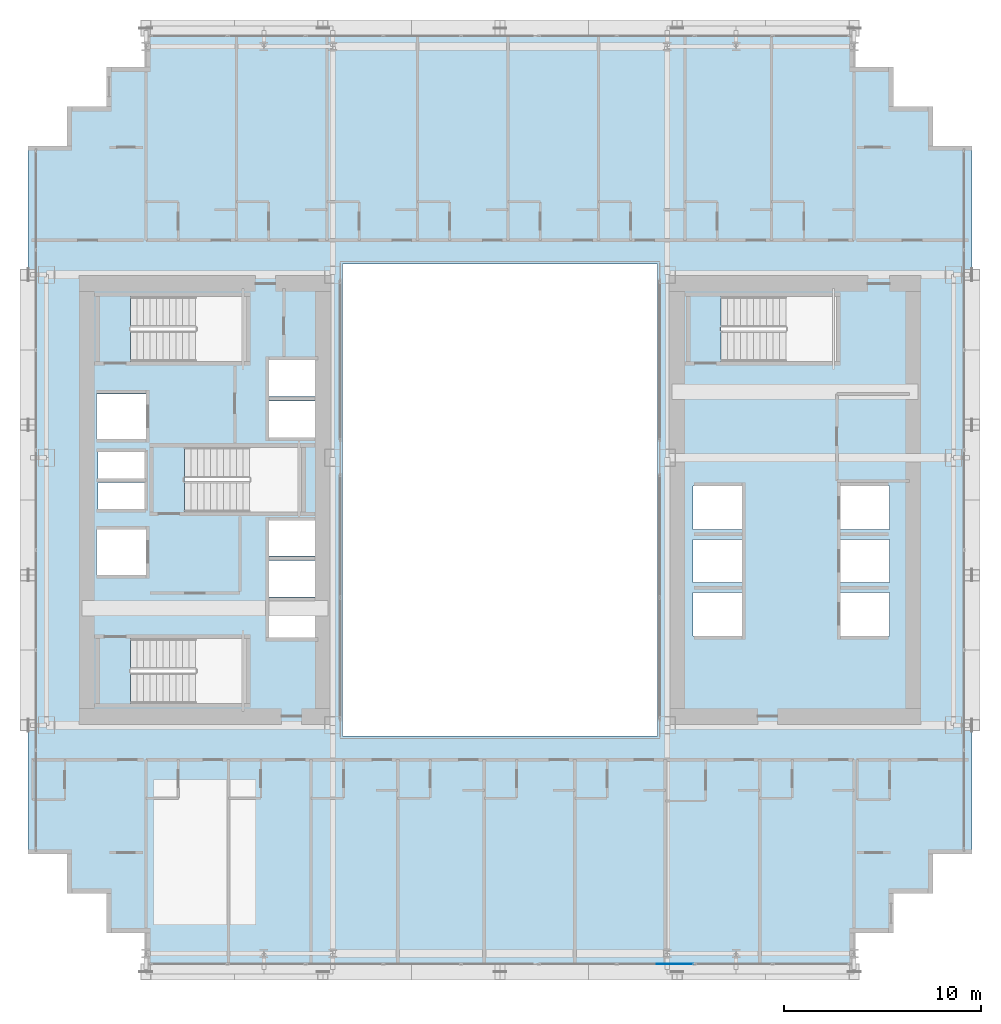
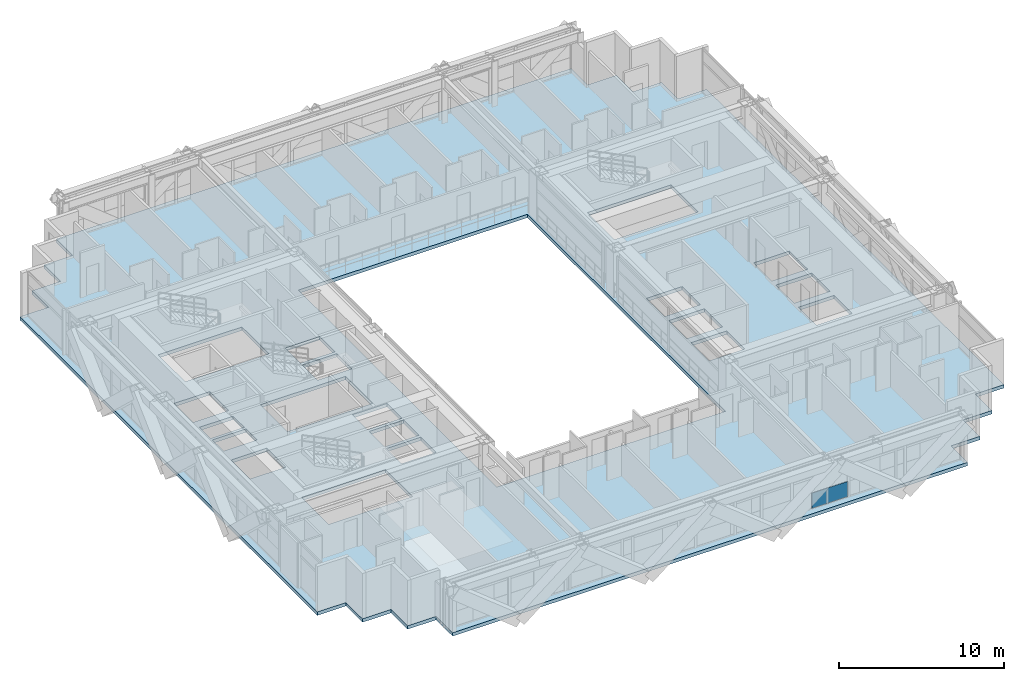
# One storey, part 28 of 41: 1 plate, 1 slab, 1 element without a shape of its own.
"""IFC4 building model written with IfcOpenShell, lengths in metres."""

from ifc_helpers import new_model, si_unit, direction, frame, origin, origin_2d, place, context, subcontext, project, spatial, polyline, rectangle, outline, extrude, source, transform, mapped, material, layer, layer_set, type_object, element, aggregate, save


model = new_model("IFC4")

# Units and contexts
model_context = context("Model", 3, precision=1e-05, world=origin(), true_north=direction((0.0, 1.0)))
body_context = subcontext(model_context, "Body", "Model", "MODEL_VIEW")
ifc_project = project(units=[si_unit("LENGTHUNIT", "METRE"), si_unit("AREAUNIT", "SQUARE_METRE"), si_unit("VOLUMEUNIT", "CUBIC_METRE"), si_unit("PLANEANGLEUNIT", "RADIAN"), si_unit("MASSUNIT", "GRAM", prefix="KILO")], contexts=[model_context])

# Site, building, storey
site_placement = place(None, origin())
site = spatial("IfcSite", under=ifc_project, at=site_placement, CompositionType="ELEMENT")
building_placement = place(site_placement, origin())
building = spatial("IfcBuilding", under=site, at=building_placement, Name="Ocotamira Hotel", CompositionType="ELEMENT")
storey_placement = place(building_placement, frame((0.0, 0.0, 38.39990234375)))
storey = spatial("IfcBuildingStorey", under=building, at=storey_placement, Name="L08", CompositionType="ELEMENT", Elevation=38.39990234375)

# Slab
ifc_material_1 = material(Name="Concrete C40/50", Category="concrete")
ifc_layer_1 = layer(ifc_material_1, 0.25)
ifc_layer_set_1 = layer_set([ifc_layer_1], Name="Concrete C40/50")
slab_type = type_object("IfcSlabType", Name="SLB-Z1-250", PredefinedType="FLOOR", material=ifc_layer_set_1)
slab_placement = place(storey_placement, frame((0.0, 0.0, -0.25)))
element("IfcSlab", 1, at=slab_placement, inside=storey, type_object=slab_type, Name="L08 Structural Floor Slab", PredefinedType="FLOOR", context=body_context, shape_type="SweptSolid", body=[
    extrude(outline(polyline([(14.0, 2.0), (50.0, 2.0), (50.0, 4.0), (52.0, 4.0), (52.0, 6.0), (54.0, 6.0), (54.0, 8.0), (56.0, 8.0), (56.0, 44.0), (54.0, 44.0), (54.0, 46.0), (52.0, 46.0), (52.0, 48.0), (50.0, 48.0), (50.0, 50.0), (14.0, 50.0), (14.0, 48.0), (12.0, 48.0), (12.0, 46.0), (10.0, 46.0), (10.0, 44.0), (8.0, 44.0), (8.0, 8.0), (10.0, 8.0), (10.0, 6.0), (12.0, 6.0), (12.0, 4.0), (14.0, 4.0), (14.0, 2.0)]), holes=[polyline([(24.0, 14.0), (40.0, 14.0), (40.0, 38.0), (24.0, 38.0), (24.0, 14.0)]), polyline([(13.22998046875, 15.669921875), (19.090087890625, 15.669921875), (19.090087890625, 18.949951171875), (13.22998046875, 18.949951171875), (13.22998046875, 15.669921875)]), polyline([(13.22998046875, 33.050048828125), (19.090087890625, 33.050048828125), (19.090087890625, 36.330078125), (13.22998046875, 36.330078125), (13.22998046875, 33.050048828125)]), polyline([(15.9599609375, 25.39990234375), (21.919921875, 25.39990234375), (21.919921875, 28.679931640625), (15.9599609375, 28.679931640625), (15.9599609375, 25.39990234375)]), polyline([(43.22998046875, 33.050048828125), (49.090087890625, 33.050048828125), (49.090087890625, 36.330078125), (43.22998046875, 36.330078125), (43.22998046875, 33.050048828125)]), polyline([(49.300048828125, 19.10009765625), (51.800048828125, 19.10009765625), (51.800048828125, 21.300048828125), (49.300048828125, 21.300048828125), (49.300048828125, 19.10009765625)]), polyline([(49.300048828125, 21.800048828125), (51.800048828125, 21.800048828125), (51.800048828125, 24.0), (49.300048828125, 24.0), (49.300048828125, 21.800048828125)]), polyline([(49.300048828125, 24.5), (51.800048828125, 24.5), (51.800048828125, 26.699951171875), (49.300048828125, 26.699951171875), (49.300048828125, 24.5)]), polyline([(41.800048828125, 19.10009765625), (44.300048828125, 19.10009765625), (44.300048828125, 21.300048828125), (41.800048828125, 21.300048828125), (41.800048828125, 19.10009765625)]), polyline([(41.800048828125, 21.800048828125), (44.300048828125, 21.800048828125), (44.300048828125, 24.0), (41.800048828125, 24.0), (41.800048828125, 21.800048828125)]), polyline([(41.800048828125, 24.5), (44.300048828125, 24.5), (44.300048828125, 26.699951171875), (41.800048828125, 26.699951171875), (41.800048828125, 24.5)]), polyline([(20.25, 19.0), (22.659912109375, 19.0), (22.659912109375, 20.85009765625), (20.25, 20.85009765625), (20.25, 19.0)]), polyline([(20.25, 21.080078125), (22.659912109375, 21.080078125), (22.659912109375, 22.929931640625), (20.25, 22.929931640625), (20.25, 21.080078125)]), polyline([(20.25, 23.159912109375), (22.659912109375, 23.159912109375), (22.659912109375, 24.9599609375), (20.25, 24.9599609375), (20.25, 23.159912109375)]), polyline([(20.25, 29.179931640625), (22.659912109375, 29.179931640625), (22.659912109375, 31.030029296875), (20.25, 31.030029296875), (20.25, 29.179931640625)]), polyline([(20.25, 31.260009765625), (22.659912109375, 31.260009765625), (22.659912109375, 33.110107421875), (20.25, 33.110107421875), (20.25, 31.260009765625)]), polyline([(11.5, 22.199951171875), (14.0, 22.199951171875), (14.0, 24.5), (11.5, 24.5), (11.5, 22.199951171875)]), polyline([(11.5, 29.10009765625), (14.0, 29.10009765625), (14.0, 31.39990234375), (11.5, 31.39990234375), (11.5, 29.10009765625)]), polyline([(11.580078125, 25.550048828125), (13.919921875, 25.550048828125), (13.919921875, 26.89990234375), (11.580078125, 26.89990234375), (11.580078125, 25.550048828125)]), polyline([(11.580078125, 27.10009765625), (13.919921875, 27.10009765625), (13.919921875, 28.449951171875), (11.580078125, 28.449951171875), (11.580078125, 27.10009765625)])]), origin(), (0.0, 0.0, 1.0), 0.25),
])

# Curtain wall, plate
ifc_material_2 = material(Name="Anodised pale-metal aluminium and solar glass", Category="aluminium")
ifc_layer_2 = layer(ifc_material_2, 0.179931640625)
ifc_layer_set_2 = layer_set([ifc_layer_2], Name="Anodised pale-metal aluminium and solar glass")
curtain_wall_type = type_object("IfcCurtainWallType", Name="CW-SYS2-Z1", PredefinedType="NOTDEFINED", material=ifc_layer_set_2)
curtain_wall_placement = place(storey_placement, origin())
curtain_wall = element("IfcCurtainWall", 2, at=curtain_wall_placement, inside=storey, type_object=curtain_wall_type, Name="L08 Curtain Wall CW-2 CW-L08-S1", PredefinedType="NOTDEFINED")
ifc_material_3 = material(Name="Double-silver low-E insulated solar glass", Category="glass")
ifc_layer_3 = layer(ifc_material_3, 0.031982421875)
ifc_layer_set_3 = layer_set([ifc_layer_3], Name="Double-silver low-E insulated solar glass")
plate_type = type_object("IfcPlateType", Name="CWP-VISION-32", PredefinedType="CURTAIN_PANEL", material=ifc_layer_set_3)
shared_shape = source(origin(), body_context, "Body", "SweptSolid", [
    extrude(rectangle(XDim=2.511474609375, YDim=0.031982421875, at=origin_2d()), origin(), (0.0, 0.0, 1.0), 1.11865234375),
])
plate_placement = place(storey_placement, frame((40.59326171875, 2.419921875, 0.0751953125), z_axis=(0.0, 0.0, 1.0), x_axis=(1.0, 0.0, 0.0)))
plate = element("IfcPlate", 3, at=plate_placement, type_object=plate_type, Name="CW-2 panel 7.1.1", PredefinedType="CURTAIN_PANEL", context=body_context, shape_type="MappedRepresentation", body=[
    mapped(shared_shape, transform((0.0, 0.0, 0.0), scale=1.0)),
])
aggregate(curtain_wall, [plate])

save(model, "model.ifc")
